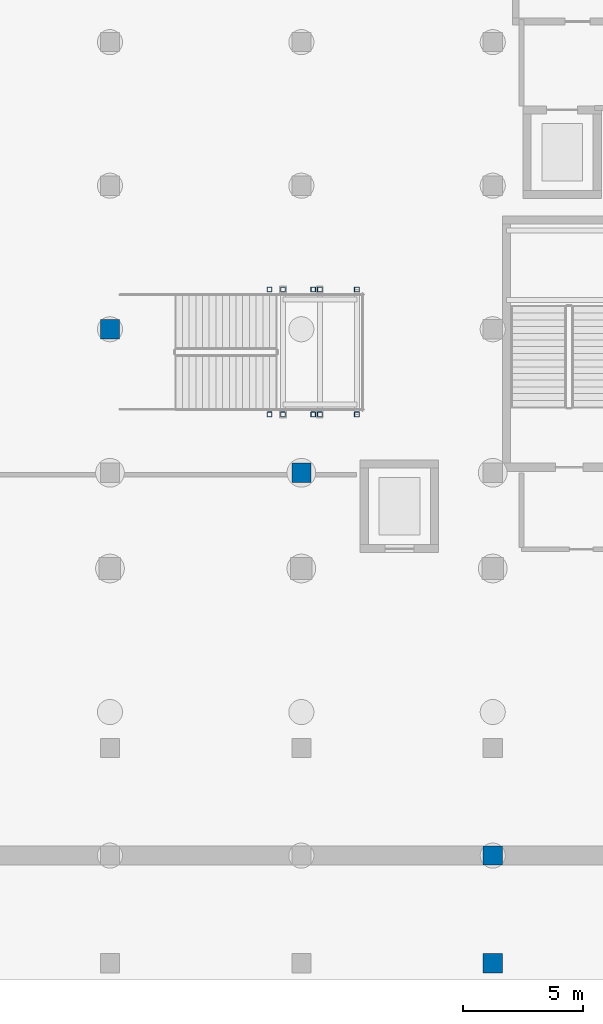
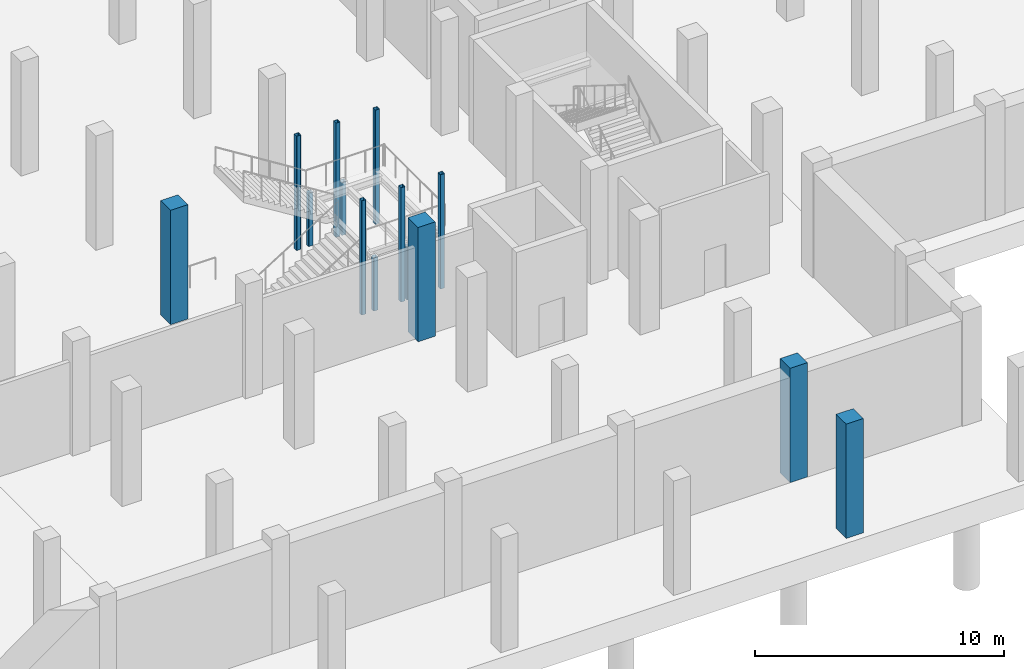
# One storey, part 5 of 26: 14 columns.
"""IFC4 building model written with IfcOpenShell, lengths in metres."""

import ifcopenshell
import ifcopenshell.guid

model = None  # the IFC model being written
_history = None  # IfcOwnerHistory: only IFC2X3 demands one
_inside = {}  # id of a spatial element -> (the spatial element, [elements in it])
_under = {}  # id of a project, library or spatial element -> (it, [spatial elements below it])
_declared = {}  # id of a project -> (the project, [libraries it declares])
_typed = {}  # id of a type object -> (the type object, [elements of that type])
_made_of = {}  # id of a material, layer set ... -> (it, [elements and type objects made of it])


def new_model(schema):
    """Start an empty IFC model of exactly this schema.

    Asked for "IFC4X3", IfcOpenShell would pick the latest addendum, in which some entities
    have other attributes; the version numbers below select the first issue.
    IFC2X3 requires an IfcOwnerHistory on every rooted entity: one is made here for all.
    """
    global model, _history
    if schema == "IFC4X3":
        model = ifcopenshell.file(schema_version=(4, 3, 0, 0))
    else:
        model = ifcopenshell.file(schema=schema)
    _inside.clear()
    _under.clear()
    _declared.clear()
    _typed.clear()
    _made_of.clear()
    _history = None
    if model.schema == "IFC2X3":
        org = make("IfcOrganization", Name="unknown")
        user = make(
            "IfcPersonAndOrganization",
            ThePerson=make("IfcPerson", FamilyName="unknown"),
            TheOrganization=org,
        )
        app = make(
            "IfcApplication",
            ApplicationDeveloper=org,
            Version="unknown",
            ApplicationFullName="unknown",
            ApplicationIdentifier="unknown",
        )
        _history = make(
            "IfcOwnerHistory",
            OwningUser=user,
            OwningApplication=app,
            ChangeAction="ADDED",
            CreationDate=0,
        )
    return model


def make(cls, **values):
    """One entity of the class cls with the attributes given. An attribute that is None is left unset."""
    return model.create_entity(
        cls, **{name: value for name, value in values.items() if value is not None}
    )


def rooted(cls, **values):
    """An entity with a GlobalId (a new one), such as an element, a storey or a relation."""
    return make(cls, GlobalId=ifcopenshell.guid.new(), OwnerHistory=_history, **values)


def si_unit(unit_type, name, prefix=None):
    """IfcSIUnit, for example si_unit("LENGTHUNIT", "METRE", prefix="MILLI")."""
    return make("IfcSIUnit", UnitType=unit_type, Prefix=prefix, Name=name)


def assignment(units):
    """IfcUnitAssignment: the units of a project."""
    return None if units is None else make("IfcUnitAssignment", Units=units)


def point(xyz):
    """IfcCartesianPoint."""
    return None if xyz is None else make("IfcCartesianPoint", Coordinates=xyz)


def direction(xyz):
    """IfcDirection."""
    return None if xyz is None else make("IfcDirection", DirectionRatios=xyz)


def frame(location, z_axis=None, x_axis=None):
    """IfcAxis2Placement3D, a coordinate frame: its origin and axes. An axis left out is left unset."""
    return make(
        "IfcAxis2Placement3D",
        Location=point(location),
        Axis=direction(z_axis),
        RefDirection=direction(x_axis),
    )


def frame_2d(location, x_axis=None):
    """IfcAxis2Placement2D, a coordinate frame in the plane: its origin and x axis."""
    return make(
        "IfcAxis2Placement2D", Location=point(location), RefDirection=direction(x_axis)
    )


def origin():
    """The frame at (0, 0, 0) with its axes left unset."""
    return frame((0.0, 0.0, 0.0))


def origin_2d():
    """The frame at (0, 0) in the plane with its x axis left unset."""
    return frame_2d((0.0, 0.0))


def place(relative_to, where):
    """IfcLocalPlacement: puts the frame where relative to a parent placement (None: the world)."""
    return make(
        "IfcLocalPlacement", PlacementRelTo=relative_to, RelativePlacement=where
    )


def context(
    kind, dimensions, precision=None, world=None, true_north=None, identifier=None
):
    """IfcGeometricRepresentationContext, for example the 3D "Model" context."""
    return make(
        "IfcGeometricRepresentationContext",
        ContextIdentifier=identifier,
        ContextType=kind,
        CoordinateSpaceDimension=dimensions,
        Precision=precision,
        WorldCoordinateSystem=world,
        TrueNorth=true_north,
    )


def subcontext(parent, identifier, kind, view, scale=None):
    """IfcGeometricRepresentationSubContext, for example "Body" below "Model"."""
    return make(
        "IfcGeometricRepresentationSubContext",
        ContextIdentifier=identifier,
        ContextType=kind,
        ParentContext=parent,
        TargetScale=scale,
        TargetView=view,
    )


def project(units=None, contexts=None):
    """IfcProject with its units and contexts."""
    return rooted(
        "IfcProject",
        Name="project",
        RepresentationContexts=contexts,
        UnitsInContext=assignment(units),
    )


def spatial(cls, under=None, at=None, **own):
    """A site, building, storey or space (cls), placed at a placement, below another one or the project."""
    s = rooted(cls, ObjectPlacement=at, **own)
    if under is not None:
        _under.setdefault(under.id(), (under, []))[1].append(s)
    return s


def profile(cls, at=None, kind="AREA", **sizes):
    """A parametric profile (cls). Its sizes go by their IFC names, for example OverallWidth=200.0."""
    return make(cls, ProfileType=kind, Position=at, **sizes)


def rectangle(**sizes):
    """IfcRectangleProfileDef."""
    return profile("IfcRectangleProfileDef", **sizes)


def hollow_rectangle(**sizes):
    """IfcRectangleHollowProfileDef."""
    return profile("IfcRectangleHollowProfileDef", **sizes)


def extrude(swept, where, along, depth):
    """IfcExtrudedAreaSolid: the profile swept, set in the frame where, extruded along a direction by depth."""
    return make(
        "IfcExtrudedAreaSolid",
        SweptArea=swept,
        Position=where,
        ExtrudedDirection=direction(along),
        Depth=depth,
    )


def shape(context_of_items, identifier, shape_type, items):
    """IfcShapeRepresentation: the items that make up one representation, for example the "Body"."""
    return make(
        "IfcShapeRepresentation",
        ContextOfItems=context_of_items,
        RepresentationIdentifier=identifier,
        RepresentationType=shape_type,
        Items=items,
    )


def material(Name=None, Category=None):
    """IfcMaterial."""
    return make("IfcMaterial", Name=Name, Category=Category)


def material_profile(
    of_material, cross_section, Name=None, Category=None, Priority=None
):
    """IfcMaterialProfile: a cross section and its material."""
    return make(
        "IfcMaterialProfile",
        Name=Name,
        Material=of_material,
        Profile=cross_section,
        Priority=Priority,
        Category=Category,
    )


def profile_set(profiles, Name=None, composite=None):
    """IfcMaterialProfileSet."""
    return make(
        "IfcMaterialProfileSet",
        Name=Name,
        MaterialProfiles=profiles,
        CompositeProfile=composite,
    )


def made_of(thing, what):
    """Note that an element or type object is made of a material, layer set ...; save() writes the relation."""
    if what is not None:
        _made_of.setdefault(what.id(), (what, []))[1].append(thing)
    return thing


def type_object(cls, material=None, **own):
    """A type object (cls), such as IfcWallType, which elements share."""
    return made_of(rooted(cls, **own), material)


def element(
    cls,
    number,
    at=None,
    inside=None,
    cuts=None,
    type_object=None,
    material=None,
    context=None,
    identifier="Body",
    shape_type=None,
    held_by="IfcProductDefinitionShape",
    body=None,
    shapes=None,
    **own,
):
    """One element of the class cls, such as IfcWall. Its Tag is "e" and its number.

    at: its placement. inside: the storey or other place that contains it. cuts: it is an
    opening in that element (IfcRelVoidsElement). A single representation is given by context,
    identifier, shape_type and body (its items); several are given by shapes. held_by: the class
    of the entity that holds the representations. save() writes the other relations.
    """
    e = rooted(cls, Tag="e%d" % number, ObjectPlacement=at, **own)
    if body is not None:
        shapes = [shape(context, identifier, shape_type, body)]
    if shapes is not None:
        e.Representation = make(held_by, Representations=shapes)
    if inside is not None:
        _inside.setdefault(inside.id(), (inside, []))[1].append(e)
    if cuts is not None:
        rooted(
            "IfcRelVoidsElement", RelatingBuildingElement=cuts, RelatedOpeningElement=e
        )
    if type_object is not None:
        _typed.setdefault(type_object.id(), (type_object, []))[1].append(e)
    return made_of(e, material)


def aggregate(whole, parts):
    """IfcRelAggregates: a whole, such as a stair, and the parts it consists of."""
    return rooted("IfcRelAggregates", RelatingObject=whole, RelatedObjects=parts)


def save(model, path):
    """Write the relations noted so far, then the file.

    IfcRelAggregates (storeys below a building ...), IfcRelContainedInSpatialStructure (elements
    in a storey), IfcRelDefinesByType, IfcRelAssociatesMaterial and IfcRelDeclares: one each for
    every whole, place, type object, material and project.
    """
    for whole, parts in _under.values():
        aggregate(whole, parts)
    for where, things in _inside.values():
        rooted(
            "IfcRelContainedInSpatialStructure",
            RelatedElements=things,
            RelatingStructure=where,
        )
    for kind, things in _typed.values():
        rooted("IfcRelDefinesByType", RelatedObjects=things, RelatingType=kind)
    for what, things in _made_of.values():
        rooted("IfcRelAssociatesMaterial", RelatedObjects=things, RelatingMaterial=what)
    for by, libraries in _declared.values():
        rooted("IfcRelDeclares", RelatingContext=by, RelatedDefinitions=libraries)
    model.write(path)


model = new_model("IFC4")

# Units and contexts
model_context = context("Model", 3, precision=1e-05, world=origin(), true_north=direction((0.0, 1.0)))
body_context = subcontext(model_context, "Body", "Model", "MODEL_VIEW")
ifc_project = project(units=[si_unit("LENGTHUNIT", "METRE"), si_unit("AREAUNIT", "SQUARE_METRE"), si_unit("VOLUMEUNIT", "CUBIC_METRE"), si_unit("PLANEANGLEUNIT", "RADIAN"), si_unit("MASSUNIT", "GRAM", prefix="KILO")], contexts=[model_context])

# Site, building, storey
site_placement = place(None, origin())
site = spatial("IfcSite", under=ifc_project, at=site_placement, CompositionType="ELEMENT")
building_placement = place(site_placement, origin())
building = spatial("IfcBuilding", under=site, at=building_placement, Name="Verrall Gate Interchange", CompositionType="ELEMENT")
storey_placement = place(building_placement, frame((0.0, 0.0, -10.39990234375)))
storey = spatial("IfcBuildingStorey", under=building, at=storey_placement, Name="B2", CompositionType="ELEMENT", Elevation=-10.39990234375)

# Columns
ifc_material_1 = material(Name="Concrete CSA A23.1 40 MPa (Class N)", Category="concrete")
ifc_material_profile_1 = material_profile(ifc_material_1, rectangle(XDim=0.800048828125, YDim=0.800048828125, at=origin_2d()), Name="RC800x800")
ifc_profile_set_1 = profile_set([ifc_material_profile_1], Name="Concrete CSA A23.1 40 MPa (Class N)")
column_type_1 = type_object("IfcColumnType", Name="C-02 Column RC800x800", PredefinedType="COLUMN", material=ifc_profile_set_1)
for number, where, z_axis, x_axis, name in (
    (1, (84.0, 22.0, 0.0), (0.0, 0.0, 1.0), (1.0, 0.0, 0.0), "B2 Column COL-B2-1026 (C-02)"),
    (2, (92.0, 16.0, 0.0), (0.0, 0.0, 1.0), (1.0, 0.0, 0.0), "B2 Column COL-B2-1060 (C-02)"),
    (3, (100.0, -4.5, 0.0), (0.0, 0.0, 1.0), (1.0, 0.0, 0.0), "B2 Column COL-B2-1082 (C-02)"),
    (4, (100.0, 0.0, 0.0), (0.0, 0.0, 1.0), (1.0, 0.0, 0.0), "B2 Column COL-B2-1084 (C-02)"),
):
    element("IfcColumn", number, at=place(storey_placement, frame(where, z_axis=z_axis, x_axis=x_axis)), inside=storey, type_object=column_type_1, Name=name, PredefinedType="COLUMN", context=body_context, shape_type="SweptSolid", body=[
        extrude(rectangle(XDim=0.800048828125, YDim=0.800048828125, at=origin_2d()), origin(), (0.0, 0.0, 1.0), 5.599853515625),
    ])
ifc_material_2 = material(Name="Structural Steel CSA G40.21 350W", Category="steel")
ifc_material_profile_2 = material_profile(ifc_material_2, hollow_rectangle(XDim=0.202880859375, YDim=0.202880859375, WallThickness=0.009521484375, InnerFilletRadius=0.009521484375, OuterFilletRadius=0.01904296875, at=origin_2d()), Name="HSS203x203x9.5")
ifc_profile_set_2 = profile_set([ifc_material_profile_2], Name="Structural Steel CSA G40.21 350W")
column_type_2 = type_object("IfcColumnType", Name="C-14 Column HSS203x203x9.5", PredefinedType="COLUMN", material=ifc_profile_set_2)
for number, where, z_axis, x_axis, name in (
    (5, (90.669921875, 18.43994140625, 0.0), (0.0, 0.0, 1.0), (1.0, 0.0, 0.0), "B2 ST-11 Landing Cradle Column"),
    (6, (90.669921875, 23.659912109375, 0.0), (0.0, 0.0, 1.0), (1.0, 0.0, 0.0), "B2 ST-11 Landing Cradle Column"),
):
    element("IfcColumn", number, at=place(storey_placement, frame(where, z_axis=z_axis, x_axis=x_axis)), inside=storey, type_object=column_type_2, Name=name, PredefinedType="COLUMN", context=body_context, shape_type="SweptSolid", body=[
        extrude(hollow_rectangle(XDim=0.202880859375, YDim=0.202880859375, WallThickness=0.009521484375, InnerFilletRadius=0.009521484375, OuterFilletRadius=0.01904296875, at=origin_2d()), origin(), (0.0, 0.0, 1.0), 5.599853515625),
    ])
for number, where, z_axis, x_axis, name in (
    (7, (91.22998046875, 18.43994140625, 0.0), (0.0, 0.0, 1.0), (1.0, 0.0, 0.0), "B2 ST-11 Landing Cradle Column"),
    (8, (91.22998046875, 23.659912109375, 0.0), (0.0, 0.0, 1.0), (1.0, 0.0, 0.0), "B2 ST-11 Landing Cradle Column"),
):
    element("IfcColumn", number, at=place(storey_placement, frame(where, z_axis=z_axis, x_axis=x_axis)), inside=storey, type_object=column_type_2, Name=name, PredefinedType="COLUMN", context=body_context, shape_type="SweptSolid", body=[
        extrude(hollow_rectangle(XDim=0.202880859375, YDim=0.202880859375, WallThickness=0.009521484375, InnerFilletRadius=0.009521484375, OuterFilletRadius=0.01904296875, at=origin_2d()), origin(), (0.0, 0.0, 1.0), 2.60986328125),
    ])
for number, where, z_axis, x_axis, name in (
    (9, (92.4951171875, 18.43994140625, 0.0), (0.0, 0.0, 1.0), (1.0, 0.0, 0.0), "B2 ST-11 Landing Cradle Column"),
    (10, (92.4951171875, 23.659912109375, 0.0), (0.0, 0.0, 1.0), (1.0, 0.0, 0.0), "B2 ST-11 Landing Cradle Column"),
):
    element("IfcColumn", number, at=place(storey_placement, frame(where, z_axis=z_axis, x_axis=x_axis)), inside=storey, type_object=column_type_2, Name=name, PredefinedType="COLUMN", context=body_context, shape_type="SweptSolid", body=[
        extrude(hollow_rectangle(XDim=0.202880859375, YDim=0.202880859375, WallThickness=0.009521484375, InnerFilletRadius=0.009521484375, OuterFilletRadius=0.01904296875, at=origin_2d()), origin(), (0.0, 0.0, 1.0), 5.599853515625),
    ])
for number, where, z_axis, x_axis, name in (
    (11, (92.77490234375, 18.43994140625, 0.0), (0.0, 0.0, 1.0), (1.0, 0.0, 0.0), "B2 ST-11 Landing Cradle Column"),
    (12, (92.77490234375, 23.659912109375, 0.0), (0.0, 0.0, 1.0), (1.0, 0.0, 0.0), "B2 ST-11 Landing Cradle Column"),
):
    element("IfcColumn", number, at=place(storey_placement, frame(where, z_axis=z_axis, x_axis=x_axis)), inside=storey, type_object=column_type_2, Name=name, PredefinedType="COLUMN", context=body_context, shape_type="SweptSolid", body=[
        extrude(hollow_rectangle(XDim=0.202880859375, YDim=0.202880859375, WallThickness=0.009521484375, InnerFilletRadius=0.009521484375, OuterFilletRadius=0.01904296875, at=origin_2d()), origin(), (0.0, 0.0, 1.0), 2.60986328125),
    ])
for number, where, z_axis, x_axis, name in (
    (13, (94.320068359375, 18.43994140625, 0.0), (0.0, 0.0, 1.0), (1.0, 0.0, 0.0), "B2 ST-11 Landing Cradle Column"),
    (14, (94.320068359375, 23.659912109375, 0.0), (0.0, 0.0, 1.0), (1.0, 0.0, 0.0), "B2 ST-11 Landing Cradle Column"),
):
    element("IfcColumn", number, at=place(storey_placement, frame(where, z_axis=z_axis, x_axis=x_axis)), inside=storey, type_object=column_type_2, Name=name, PredefinedType="COLUMN", context=body_context, shape_type="SweptSolid", body=[
        extrude(hollow_rectangle(XDim=0.202880859375, YDim=0.202880859375, WallThickness=0.009521484375, InnerFilletRadius=0.009521484375, OuterFilletRadius=0.01904296875, at=origin_2d()), origin(), (0.0, 0.0, 1.0), 5.599853515625),
    ])

save(model, "model.ifc")
